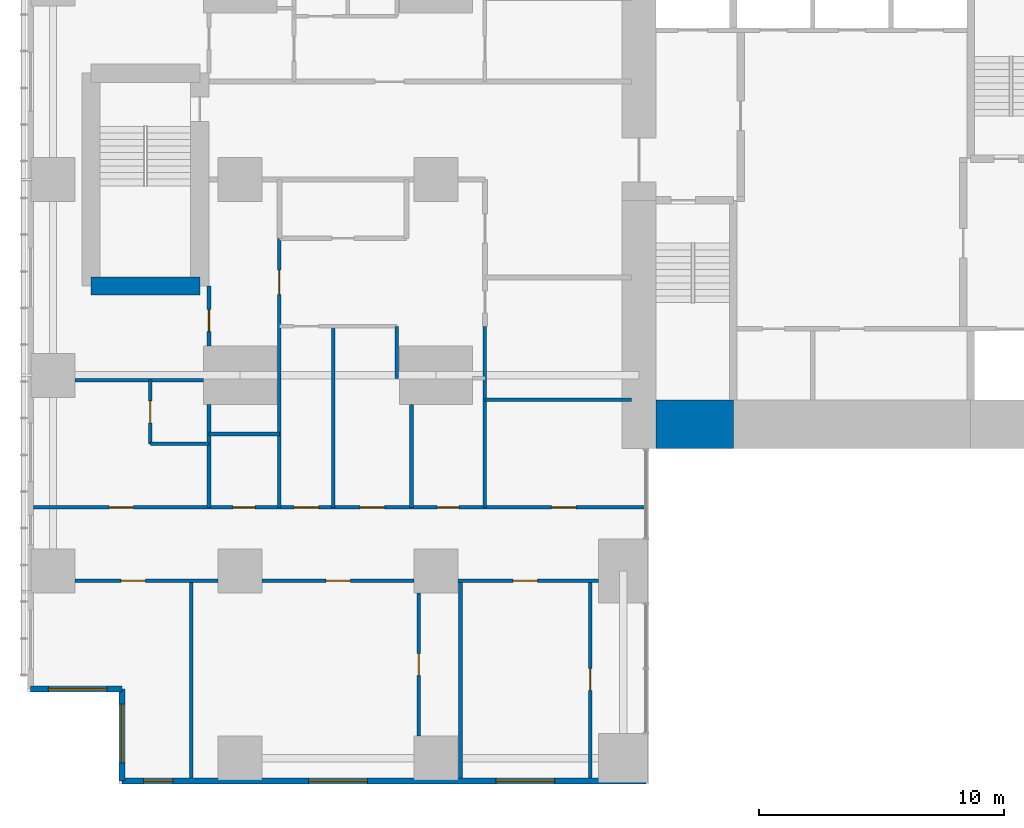
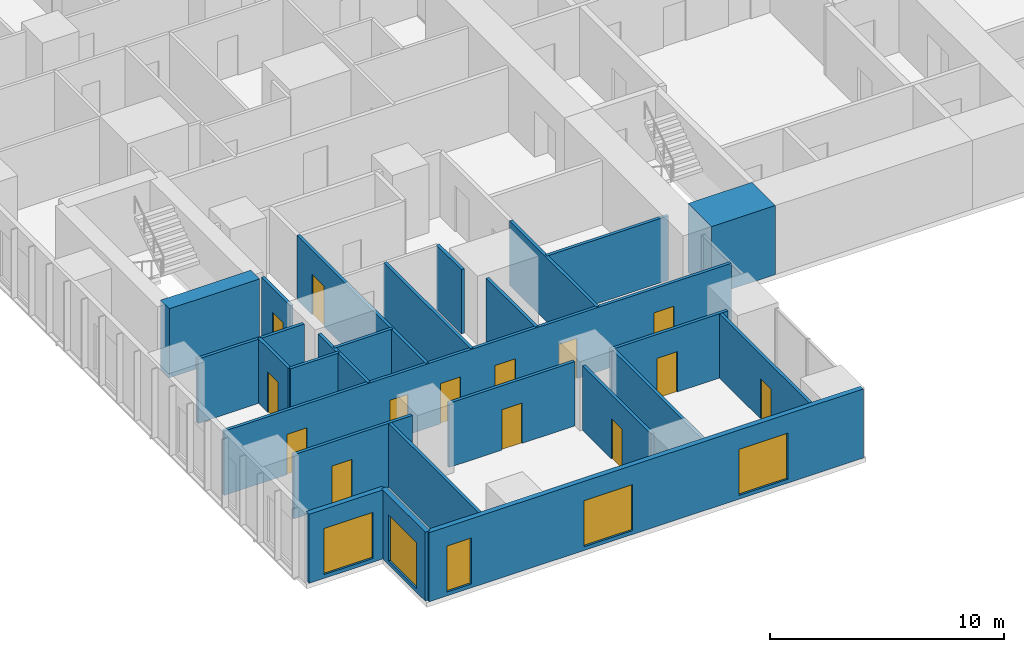
# One storey, part 12 of 20: 25 walls, 14 doors, 5 windows, 19 openings.
"""IFC4 building model written with IfcOpenShell, lengths in metres."""

from ifc_helpers import new_model, si_unit, direction, frame, frame_2d, origin, place, context, subcontext, project, spatial, rectangle, extrude, material, layer, layer_set, type_object, element, fill, save


model = new_model("IFC4")

# Units and contexts
model_context = context("Model", 3, precision=1e-05, world=origin(), true_north=direction((0.0, 1.0)))
body_context = subcontext(model_context, "Body", "Model", "MODEL_VIEW")
ifc_project = project(units=[si_unit("LENGTHUNIT", "METRE"), si_unit("AREAUNIT", "SQUARE_METRE"), si_unit("VOLUMEUNIT", "CUBIC_METRE"), si_unit("PLANEANGLEUNIT", "RADIAN"), si_unit("MASSUNIT", "GRAM", prefix="KILO")], contexts=[model_context])

# Site, building, storey
site_placement = place(None, origin())
site = spatial("IfcSite", under=ifc_project, at=site_placement, CompositionType="ELEMENT")
building_placement = place(site_placement, origin())
building = spatial("IfcBuilding", under=site, at=building_placement, Name="Cleftline Residences", CompositionType="ELEMENT")
storey_placement = place(building_placement, frame((0.0, 0.0, 214.60009765625)))
storey = spatial("IfcBuildingStorey", under=building, at=storey_placement, Name="L56", CompositionType="ELEMENT", Elevation=214.60009765625)

# Wall
ifc_material_1 = material(Name="Concrete B70", Category="concrete")
ifc_layer_1 = layer(ifc_material_1, 2.0)
ifc_layer_set_1 = layer_set([ifc_layer_1], Name="CORE WALL 2000")
wall_type_1 = type_object("IfcWallType", Name="CORE WALL 2000", PredefinedType="SHEAR", material=ifc_layer_set_1)
wall_1_placement = place(storey_placement, frame((25.0, 14.0, 0.0), z_axis=(0.0, 0.0, 1.0), x_axis=(1.0, 0.0, 0.0)))
element("IfcWall", 1, at=wall_1_placement, inside=storey, type_object=wall_type_1, Name="Core wall S1", PredefinedType="SHEAR", context=body_context, shape_type="SweptSolid", body=[
    extrude(rectangle(XDim=3.14990234375, YDim=2.0, at=frame_2d((1.574951171875, 0.0))), origin(), (0.0, 0.0, 1.0), 3.599853515625),
])

# Wall, opening, window
ifc_material_2 = material(Name="Rendered reinforced concrete blockwork", Category="masonry")
ifc_layer_2 = layer(ifc_material_2, 0.25)
ifc_layer_set_2 = layer_set([ifc_layer_2], Name="EXTERNAL WALL 250")
wall_type_2 = type_object("IfcWallType", Name="EXTERNAL WALL 250", PredefinedType="SOLIDWALL", material=ifc_layer_set_2)
wall_2_placement = place(storey_placement, frame((-0.574951171875, 3.175048828125, 0.0), z_axis=(0.0, 0.0, 1.0), x_axis=(1.0, 0.0, 0.0)))
wall_2 = element("IfcWall", 2, at=wall_2_placement, inside=storey, type_object=wall_type_2, Name="External wall", PredefinedType="SOLIDWALL", context=body_context, shape_type="SweptSolid", body=[
    extrude(rectangle(XDim=3.75, YDim=0.25, at=frame_2d((1.875, 0.0))), origin(), (0.0, 0.0, 1.0), 3.599853515625),
])
opening_1_placement = place(wall_2_placement, frame((0.737548828125, 0.0, 0.199951171875)))
opening_1 = element("IfcOpeningElement", 3, at=opening_1_placement, cuts=wall_2, Name="Opening W9", PredefinedType="OPENING", context=body_context, shape_type="SweptSolid", body=[
    extrude(rectangle(XDim=2.39990234375, YDim=2.39990234375, at=frame_2d((1.199951171875, 1.199951171875))), frame((0.0, 0.135009765625, 0.0), z_axis=(0.0, -1.0, 0.0), x_axis=(1.0, 0.0, 0.0)), (0.0, 0.0, 1.0), 0.27001953125),
])
ifc_material_3 = material(Name="Aluminium frame, clear double glazing", Category="aluminium")
window_type_1 = type_object("IfcWindowType", Name="WINDOW 2400X2400", PartitioningType="DOUBLE_PANEL_VERTICAL", PredefinedType="WINDOW", material=ifc_material_3)
window_1_placement = place(opening_1_placement, origin())
window_1 = element("IfcWindow", 4, at=window_1_placement, inside=storey, type_object=window_type_1, Name="Window", OverallHeight=2.39990234375, OverallWidth=2.39990234375, PartitioningType="SINGLE_PANEL", PredefinedType="WINDOW", context=body_context, shape_type="SweptSolid", body=[
    extrude(rectangle(XDim=2.39990234375, YDim=2.39990234375, at=frame_2d((1.199951171875, 1.199951171875))), frame((0.0, 0.030029296875, 0.0), z_axis=(0.0, -1.0, 0.0), x_axis=(1.0, 0.0, 0.0)), (0.0, 0.0, 1.0), 0.06005859375),
])
fill(opening_1, window_1)

wall_3_placement = place(storey_placement, frame((3.175048828125, 3.175048828125, 0.0), z_axis=(0.0, 0.0, 1.0), x_axis=(0.0, -1.0, 0.0)))
wall_3 = element("IfcWall", 5, at=wall_3_placement, inside=storey, type_object=wall_type_2, Name="External wall", PredefinedType="SOLIDWALL", context=body_context, shape_type="SweptSolid", body=[
    extrude(rectangle(XDim=3.75, YDim=0.25, at=frame_2d((1.875, 0.0))), origin(), (0.0, 0.0, 1.0), 3.599853515625),
])
opening_2_placement = place(wall_3_placement, frame((0.612548828125, 0.0, 0.199951171875)))
opening_2 = element("IfcOpeningElement", 6, at=opening_2_placement, cuts=wall_3, Name="Opening W9", PredefinedType="OPENING", context=body_context, shape_type="SweptSolid", body=[
    extrude(rectangle(XDim=2.39990234375, YDim=2.39990234375, at=frame_2d((1.199951171875, 1.199951171875))), frame((0.0, 0.135009765625, 0.0), z_axis=(0.0, -1.0, 0.0), x_axis=(1.0, 0.0, 0.0)), (0.0, 0.0, 1.0), 0.27001953125),
])
window_2_placement = place(opening_2_placement, origin())
window_2 = element("IfcWindow", 7, at=window_2_placement, inside=storey, type_object=window_type_1, Name="Window", OverallHeight=2.39990234375, OverallWidth=2.39990234375, PartitioningType="SINGLE_PANEL", PredefinedType="WINDOW", context=body_context, shape_type="SweptSolid", body=[
    extrude(rectangle(XDim=2.39990234375, YDim=2.39990234375, at=frame_2d((1.199951171875, 1.199951171875))), frame((0.0, 0.030029296875, 0.0), z_axis=(0.0, -1.0, 0.0), x_axis=(1.0, 0.0, 0.0)), (0.0, 0.0, 1.0), 0.06005859375),
])
fill(opening_2, window_2)

# Wall, openings, windows
wall_4_placement = place(storey_placement, frame((3.175048828125, -0.574951171875, 0.0), z_axis=(0.0, 0.0, 1.0), x_axis=(1.0, 0.0, 0.0)))
wall_4 = element("IfcWall", 8, at=wall_4_placement, inside=storey, type_object=wall_type_2, Name="External wall", PredefinedType="SOLIDWALL", context=body_context, shape_type="SweptSolid", body=[
    extrude(rectangle(XDim=21.39990234375, YDim=0.25, at=frame_2d((10.699951171875, 0.0))), origin(), (0.0, 0.0, 1.0), 3.599853515625),
])
opening_3_placement = place(wall_4_placement, frame((0.875, 0.0, 0.199951171875)))
opening_3 = element("IfcOpeningElement", 9, at=opening_3_placement, cuts=wall_4, Name="Opening W13", PredefinedType="OPENING", context=body_context, shape_type="SweptSolid", body=[
    extrude(rectangle(XDim=1.199951171875, YDim=2.39990234375, at=frame_2d((0.60009765625, 1.199951171875))), frame((0.0, 0.135009765625, 0.0), z_axis=(0.0, -1.0, 0.0), x_axis=(1.0, 0.0, 0.0)), (0.0, 0.0, 1.0), 0.27001953125),
])
opening_4_placement = place(wall_4_placement, frame((7.625, 0.0, 0.199951171875)))
opening_4 = element("IfcOpeningElement", 10, at=opening_4_placement, cuts=wall_4, Name="Opening W9", PredefinedType="OPENING", context=body_context, shape_type="SweptSolid", body=[
    extrude(rectangle(XDim=2.39990234375, YDim=2.39990234375, at=frame_2d((1.199951171875, 1.199951171875))), frame((0.0, 0.135009765625, 0.0), z_axis=(0.0, -1.0, 0.0), x_axis=(1.0, 0.0, 0.0)), (0.0, 0.0, 1.0), 0.27001953125),
])
opening_5_placement = place(wall_4_placement, frame((15.27490234375, 0.0, 0.199951171875)))
opening_5 = element("IfcOpeningElement", 11, at=opening_5_placement, cuts=wall_4, Name="Opening W9", PredefinedType="OPENING", context=body_context, shape_type="SweptSolid", body=[
    extrude(rectangle(XDim=2.39990234375, YDim=2.39990234375, at=frame_2d((1.199951171875, 1.199951171875))), frame((0.0, 0.135009765625, 0.0), z_axis=(0.0, -1.0, 0.0), x_axis=(1.0, 0.0, 0.0)), (0.0, 0.0, 1.0), 0.27001953125),
])
ifc_material_4 = material(Name="Aluminium frame, clear double glazing", Category="aluminium")
window_type_2 = type_object("IfcWindowType", Name="WINDOW 1200X2400", PartitioningType="DOUBLE_PANEL_VERTICAL", PredefinedType="WINDOW", material=ifc_material_4)
window_3_placement = place(opening_3_placement, origin())
window_3 = element("IfcWindow", 12, at=window_3_placement, inside=storey, type_object=window_type_2, Name="Window", OverallHeight=2.39990234375, OverallWidth=1.199951171875, PartitioningType="SINGLE_PANEL", PredefinedType="WINDOW", context=body_context, shape_type="SweptSolid", body=[
    extrude(rectangle(XDim=1.199951171875, YDim=2.39990234375, at=frame_2d((0.60009765625, 1.199951171875))), frame((0.0, 0.030029296875, 0.0), z_axis=(0.0, -1.0, 0.0), x_axis=(1.0, 0.0, 0.0)), (0.0, 0.0, 1.0), 0.06005859375),
])
fill(opening_3, window_3)
window_4_placement = place(opening_4_placement, origin())
window_4 = element("IfcWindow", 13, at=window_4_placement, inside=storey, type_object=window_type_1, Name="Window", OverallHeight=2.39990234375, OverallWidth=2.39990234375, PartitioningType="SINGLE_PANEL", PredefinedType="WINDOW", context=body_context, shape_type="SweptSolid", body=[
    extrude(rectangle(XDim=2.39990234375, YDim=2.39990234375, at=frame_2d((1.199951171875, 1.199951171875))), frame((0.0, 0.030029296875, 0.0), z_axis=(0.0, -1.0, 0.0), x_axis=(1.0, 0.0, 0.0)), (0.0, 0.0, 1.0), 0.06005859375),
])
fill(opening_4, window_4)
window_5_placement = place(opening_5_placement, origin())
window_5 = element("IfcWindow", 14, at=window_5_placement, inside=storey, type_object=window_type_1, Name="Window", OverallHeight=2.39990234375, OverallWidth=2.39990234375, PartitioningType="SINGLE_PANEL", PredefinedType="WINDOW", context=body_context, shape_type="SweptSolid", body=[
    extrude(rectangle(XDim=2.39990234375, YDim=2.39990234375, at=frame_2d((1.199951171875, 1.199951171875))), frame((0.0, 0.030029296875, 0.0), z_axis=(0.0, -1.0, 0.0), x_axis=(1.0, 0.0, 0.0)), (0.0, 0.0, 1.0), 0.06005859375),
])
fill(opening_5, window_5)

# Wall, opening, door
ifc_material_5 = material(Name="Gypsum board on steel studs", Category="steel")
ifc_layer_3 = layer(ifc_material_5, 0.14990234375)
ifc_layer_set_3 = layer_set([ifc_layer_3], Name="PARTITION 150")
wall_type_3 = type_object("IfcWallType", Name="PARTITION 150", PredefinedType="PARTITIONING", material=ifc_layer_set_3)
wall_5_placement = place(storey_placement, frame((1.25, 7.60009765625, 0.0), z_axis=(0.0, 0.0, 1.0), x_axis=(1.0, 0.0, 0.0)))
wall_5 = element("IfcWall", 15, at=wall_5_placement, inside=storey, type_object=wall_type_3, Name="Partition", PredefinedType="PARTITIONING", context=body_context, shape_type="SweptSolid", body=[
    extrude(rectangle(XDim=5.85009765625, YDim=0.14990234375, at=frame_2d((2.925048828125, 0.0))), origin(), (0.0, 0.0, 1.0), 3.349853515625),
])
opening_6_placement = place(wall_5_placement, frame((1.875, 0.0, 0.0)))
opening_6 = element("IfcOpeningElement", 16, at=opening_6_placement, cuts=wall_5, Name="Opening D2", PredefinedType="OPENING", context=body_context, shape_type="SweptSolid", body=[
    extrude(rectangle(XDim=1.0, YDim=2.10009765625, at=frame_2d((0.5, 1.050048828125))), frame((0.0, 0.0849609375, 0.0), z_axis=(0.0, -1.0, 0.0), x_axis=(1.0, 0.0, 0.0)), (0.0, 0.0, 1.0), 0.169921875),
])
ifc_material_6 = material(Name="Timber veneer on solid core", Category="wood")
door_type_1 = type_object("IfcDoorType", Name="DOOR 1000X2100", OperationType="SINGLE_SWING_LEFT", PredefinedType="DOOR", material=ifc_material_6)
door_1_placement = place(opening_6_placement, origin())
door_1 = element("IfcDoor", 17, at=door_1_placement, inside=storey, type_object=door_type_1, Name="Door to winter garden", OperationType="SINGLE_SWING_RIGHT", OverallHeight=2.10009765625, OverallWidth=1.0, PredefinedType="DOOR", context=body_context, shape_type="SweptSolid", body=[
    extrude(rectangle(XDim=1.0, YDim=2.10009765625, at=frame_2d((0.5, 1.050048828125))), frame((0.0, 0.02490234375, 0.0), z_axis=(0.0, -1.0, 0.0), x_axis=(1.0, 0.0, 0.0)), (0.0, 0.0, 1.0), 0.050048828125),
])
fill(opening_6, door_1)

wall_6_placement = place(storey_placement, frame((8.89990234375, 7.60009765625, 0.0), z_axis=(0.0, 0.0, 1.0), x_axis=(1.0, 0.0, 0.0)))
wall_6 = element("IfcWall", 18, at=wall_6_placement, inside=storey, type_object=wall_type_3, Name="Partition", PredefinedType="PARTITIONING", context=body_context, shape_type="SweptSolid", body=[
    extrude(rectangle(XDim=6.2001953125, YDim=0.14990234375, at=frame_2d((3.10009765625, 0.0))), origin(), (0.0, 0.0, 1.0), 3.349853515625),
])
opening_7_placement = place(wall_6_placement, frame((2.60009765625, 0.0, 0.0)))
opening_7 = element("IfcOpeningElement", 19, at=opening_7_placement, cuts=wall_6, Name="Opening D2", PredefinedType="OPENING", context=body_context, shape_type="SweptSolid", body=[
    extrude(rectangle(XDim=1.0, YDim=2.10009765625, at=frame_2d((0.5, 1.050048828125))), frame((0.0, 0.0849609375, 0.0), z_axis=(0.0, -1.0, 0.0), x_axis=(1.0, 0.0, 0.0)), (0.0, 0.0, 1.0), 0.169921875),
])
door_2_placement = place(opening_7_placement, origin())
door_2 = element("IfcDoor", 20, at=door_2_placement, inside=storey, type_object=door_type_1, Name="Door to great room", OperationType="SINGLE_SWING_LEFT", OverallHeight=2.10009765625, OverallWidth=1.0, PredefinedType="DOOR", context=body_context, shape_type="SweptSolid", body=[
    extrude(rectangle(XDim=1.0, YDim=2.10009765625, at=frame_2d((0.5, 1.050048828125))), frame((0.0, 0.02490234375, 0.0), z_axis=(0.0, -1.0, 0.0), x_axis=(1.0, 0.0, 0.0)), (0.0, 0.0, 1.0), 0.050048828125),
])
fill(opening_7, door_2)

wall_7_placement = place(storey_placement, frame((16.89990234375, 7.60009765625, 0.0), z_axis=(0.0, 0.0, 1.0), x_axis=(1.0, 0.0, 0.0)))
wall_7 = element("IfcWall", 21, at=wall_7_placement, inside=storey, type_object=wall_type_3, Name="Partition", PredefinedType="PARTITIONING", context=body_context, shape_type="SweptSolid", body=[
    extrude(rectangle(XDim=5.75, YDim=0.14990234375, at=frame_2d((2.875, 0.0))), origin(), (0.0, 0.0, 1.0), 3.349853515625),
])
opening_8_placement = place(wall_7_placement, frame((2.25, 0.0, 0.0)))
opening_8 = element("IfcOpeningElement", 22, at=opening_8_placement, cuts=wall_7, Name="Opening D2", PredefinedType="OPENING", context=body_context, shape_type="SweptSolid", body=[
    extrude(rectangle(XDim=1.0, YDim=2.10009765625, at=frame_2d((0.5, 1.050048828125))), frame((0.0, 0.0849609375, 0.0), z_axis=(0.0, -1.0, 0.0), x_axis=(1.0, 0.0, 0.0)), (0.0, 0.0, 1.0), 0.169921875),
])
door_3_placement = place(opening_8_placement, origin())
door_3 = element("IfcDoor", 23, at=door_3_placement, inside=storey, type_object=door_type_1, Name="Door to show kitchen", OperationType="SINGLE_SWING_RIGHT", OverallHeight=2.10009765625, OverallWidth=1.0, PredefinedType="DOOR", context=body_context, shape_type="SweptSolid", body=[
    extrude(rectangle(XDim=1.0, YDim=2.10009765625, at=frame_2d((0.5, 1.050048828125))), frame((0.0, 0.02490234375, 0.0), z_axis=(0.0, -1.0, 0.0), x_axis=(1.0, 0.0, 0.0)), (0.0, 0.0, 1.0), 0.050048828125),
])
fill(opening_8, door_3)

# Wall, openings, doors
wall_8_placement = place(storey_placement, frame((-0.449951171875, 10.60009765625, 0.0), z_axis=(0.0, 0.0, 1.0), x_axis=(1.0, 0.0, 0.0)))
wall_8 = element("IfcWall", 24, at=wall_8_placement, inside=storey, type_object=wall_type_3, Name="Partition", PredefinedType="PARTITIONING", context=body_context, shape_type="SweptSolid", body=[
    extrude(rectangle(XDim=25.010986328125, YDim=0.14990234375, at=frame_2d((12.50537109375, 0.0))), origin(), (0.0, 0.0, 1.0), 3.349853515625),
])
opening_9_placement = place(wall_8_placement, frame((10.64990234375, 0.0, 0.0)))
opening_9 = element("IfcOpeningElement", 25, at=opening_9_placement, cuts=wall_8, Name="Opening D2", PredefinedType="OPENING", context=body_context, shape_type="SweptSolid", body=[
    extrude(rectangle(XDim=1.0, YDim=2.10009765625, at=frame_2d((0.5, 1.050048828125))), frame((0.0, 0.0849609375, 0.0), z_axis=(0.0, -1.0, 0.0), x_axis=(1.0, 0.0, 0.0)), (0.0, 0.0, 1.0), 0.169921875),
])
opening_10_placement = place(wall_8_placement, frame((3.08740234375, 0.0, 0.0)))
opening_10 = element("IfcOpeningElement", 26, at=opening_10_placement, cuts=wall_8, Name="Opening D2", PredefinedType="OPENING", context=body_context, shape_type="SweptSolid", body=[
    extrude(rectangle(XDim=1.0, YDim=2.10009765625, at=frame_2d((0.5, 1.050048828125))), frame((0.0, 0.0849609375, 0.0), z_axis=(0.0, -1.0, 0.0), x_axis=(1.0, 0.0, 0.0)), (0.0, 0.0, 1.0), 0.169921875),
])
opening_11_placement = place(wall_8_placement, frame((8.16259765625, 0.0, 0.0)))
opening_11 = element("IfcOpeningElement", 27, at=opening_11_placement, cuts=wall_8, Name="Opening D1", PredefinedType="OPENING", context=body_context, shape_type="SweptSolid", body=[
    extrude(rectangle(XDim=0.89990234375, YDim=2.10009765625, at=frame_2d((0.449951171875, 1.050048828125))), frame((0.0, 0.0849609375, 0.0), z_axis=(0.0, -1.0, 0.0), x_axis=(1.0, 0.0, 0.0)), (0.0, 0.0, 1.0), 0.169921875),
])
opening_12_placement = place(wall_8_placement, frame((13.35009765625, 0.0, 0.0)))
opening_12 = element("IfcOpeningElement", 28, at=opening_12_placement, cuts=wall_8, Name="Opening D2", PredefinedType="OPENING", context=body_context, shape_type="SweptSolid", body=[
    extrude(rectangle(XDim=1.0, YDim=2.10009765625, at=frame_2d((0.5, 1.050048828125))), frame((0.0, 0.0849609375, 0.0), z_axis=(0.0, -1.0, 0.0), x_axis=(1.0, 0.0, 0.0)), (0.0, 0.0, 1.0), 0.169921875),
])
opening_13_placement = place(wall_8_placement, frame((16.5, 0.0, 0.0)))
opening_13 = element("IfcOpeningElement", 29, at=opening_13_placement, cuts=wall_8, Name="Opening D1", PredefinedType="OPENING", context=body_context, shape_type="SweptSolid", body=[
    extrude(rectangle(XDim=0.89990234375, YDim=2.10009765625, at=frame_2d((0.449951171875, 1.050048828125))), frame((0.0, 0.0849609375, 0.0), z_axis=(0.0, -1.0, 0.0), x_axis=(1.0, 0.0, 0.0)), (0.0, 0.0, 1.0), 0.169921875),
])
opening_14_placement = place(wall_8_placement, frame((21.175048828125, 0.0, 0.0)))
opening_14 = element("IfcOpeningElement", 30, at=opening_14_placement, cuts=wall_8, Name="Opening D2", PredefinedType="OPENING", context=body_context, shape_type="SweptSolid", body=[
    extrude(rectangle(XDim=1.0, YDim=2.10009765625, at=frame_2d((0.5, 1.050048828125))), frame((0.0, 0.0849609375, 0.0), z_axis=(0.0, -1.0, 0.0), x_axis=(1.0, 0.0, 0.0)), (0.0, 0.0, 1.0), 0.169921875),
])
door_4_placement = place(opening_9_placement, origin())
door_4 = element("IfcDoor", 31, at=door_4_placement, inside=storey, type_object=door_type_1, Name="Door to residence hall", OperationType="SINGLE_SWING_RIGHT", OverallHeight=2.10009765625, OverallWidth=1.0, PredefinedType="DOOR", context=body_context, shape_type="SweptSolid", body=[
    extrude(rectangle(XDim=1.0, YDim=2.10009765625, at=frame_2d((0.5, 1.050048828125))), frame((0.0, 0.02490234375, 0.0), z_axis=(0.0, -1.0, 0.0), x_axis=(1.0, 0.0, 0.0)), (0.0, 0.0, 1.0), 0.050048828125),
])
fill(opening_9, door_4)
door_5_placement = place(opening_10_placement, origin())
door_5 = element("IfcDoor", 32, at=door_5_placement, inside=storey, type_object=door_type_1, Name="Door to guest bedroom", OperationType="SINGLE_SWING_RIGHT", OverallHeight=2.10009765625, OverallWidth=1.0, PredefinedType="DOOR", context=body_context, shape_type="SweptSolid", body=[
    extrude(rectangle(XDim=1.0, YDim=2.10009765625, at=frame_2d((0.5, 1.050048828125))), frame((0.0, 0.02490234375, 0.0), z_axis=(0.0, -1.0, 0.0), x_axis=(1.0, 0.0, 0.0)), (0.0, 0.0, 1.0), 0.050048828125),
])
fill(opening_10, door_5)
door_6_placement = place(opening_12_placement, origin())
door_6 = element("IfcDoor", 33, at=door_6_placement, inside=storey, type_object=door_type_1, Name="Door to wet kitchen", OperationType="SINGLE_SWING_LEFT", OverallHeight=2.10009765625, OverallWidth=1.0, PredefinedType="DOOR", context=body_context, shape_type="SweptSolid", body=[
    extrude(rectangle(XDim=1.0, YDim=2.10009765625, at=frame_2d((0.5, 1.050048828125))), frame((0.0, 0.02490234375, 0.0), z_axis=(0.0, -1.0, 0.0), x_axis=(1.0, 0.0, 0.0)), (0.0, 0.0, 1.0), 0.050048828125),
])
fill(opening_12, door_6)
door_7_placement = place(opening_14_placement, origin())
door_7 = element("IfcDoor", 34, at=door_7_placement, inside=storey, type_object=door_type_1, Name="Door to breakfast room", OperationType="SINGLE_SWING_LEFT", OverallHeight=2.10009765625, OverallWidth=1.0, PredefinedType="DOOR", context=body_context, shape_type="SweptSolid", body=[
    extrude(rectangle(XDim=1.0, YDim=2.10009765625, at=frame_2d((0.5, 1.050048828125))), frame((0.0, 0.02490234375, 0.0), z_axis=(0.0, -1.0, 0.0), x_axis=(1.0, 0.0, 0.0)), (0.0, 0.0, 1.0), 0.050048828125),
])
fill(opening_14, door_7)
ifc_material_7 = material(Name="Timber veneer on solid core", Category="wood")
door_type_2 = type_object("IfcDoorType", Name="DOOR 900X2100", OperationType="SINGLE_SWING_LEFT", PredefinedType="DOOR", material=ifc_material_7)
door_8_placement = place(opening_11_placement, origin())
door_8 = element("IfcDoor", 35, at=door_8_placement, inside=storey, type_object=door_type_2, Name="Door to coat store", OperationType="SINGLE_SWING_RIGHT", OverallHeight=2.10009765625, OverallWidth=0.89990234375, PredefinedType="DOOR", context=body_context, shape_type="SweptSolid", body=[
    extrude(rectangle(XDim=0.89990234375, YDim=2.10009765625, at=frame_2d((0.449951171875, 1.050048828125))), frame((0.0, 0.02490234375, 0.0), z_axis=(0.0, -1.0, 0.0), x_axis=(1.0, 0.0, 0.0)), (0.0, 0.0, 1.0), 0.050048828125),
])
fill(opening_11, door_8)
door_9_placement = place(opening_13_placement, origin())
door_9 = element("IfcDoor", 36, at=door_9_placement, inside=storey, type_object=door_type_2, Name="Door to pantry", OperationType="SINGLE_SWING_LEFT", OverallHeight=2.10009765625, OverallWidth=0.89990234375, PredefinedType="DOOR", context=body_context, shape_type="SweptSolid", body=[
    extrude(rectangle(XDim=0.89990234375, YDim=2.10009765625, at=frame_2d((0.449951171875, 1.050048828125))), frame((0.0, 0.02490234375, 0.0), z_axis=(0.0, -1.0, 0.0), x_axis=(1.0, 0.0, 0.0)), (0.0, 0.0, 1.0), 0.050048828125),
])
fill(opening_13, door_9)

# Walls
wall_9_placement = place(storey_placement, frame((4.324951171875, 13.199951171875, 0.0), z_axis=(0.0, 0.0, 1.0), x_axis=(1.0, 0.0, 0.0)))
element("IfcWall", 37, at=wall_9_placement, inside=storey, type_object=wall_type_3, Name="Partition", PredefinedType="PARTITIONING", context=body_context, shape_type="SweptSolid", body=[
    extrude(rectangle(XDim=2.400146484375, YDim=0.14990234375, at=frame_2d((1.2001953125, 0.0))), origin(), (0.0, 0.0, 1.0), 3.349853515625),
])
wall_10_placement = place(storey_placement, frame((6.72509765625, 13.60009765625, 0.0), z_axis=(0.0, 0.0, 1.0), x_axis=(1.0, 0.0, 0.0)))
element("IfcWall", 38, at=wall_10_placement, inside=storey, type_object=wall_type_3, Name="Partition", PredefinedType="PARTITIONING", context=body_context, shape_type="SweptSolid", body=[
    extrude(rectangle(XDim=2.875, YDim=0.14990234375, at=frame_2d((1.4375, 0.0))), origin(), (0.0, 0.0, 1.0), 3.349853515625),
])
wall_11_placement = place(storey_placement, frame((18.0, 15.0, 0.0), z_axis=(0.0, 0.0, 1.0), x_axis=(1.0, 0.0, 0.0)))
element("IfcWall", 39, at=wall_11_placement, inside=storey, type_object=wall_type_3, Name="Partition", PredefinedType="PARTITIONING", context=body_context, shape_type="SweptSolid", body=[
    extrude(rectangle(XDim=6.0, YDim=0.14990234375, at=frame_2d((3.0, 0.0))), origin(), (0.0, 0.0, 1.0), 3.349853515625),
])
wall_12_placement = place(storey_placement, frame((1.25, 15.800048828125, 0.0), z_axis=(0.0, 0.0, 1.0), x_axis=(1.0, 0.0, 0.0)))
element("IfcWall", 40, at=wall_12_placement, inside=storey, type_object=wall_type_3, Name="Partition", PredefinedType="PARTITIONING", context=body_context, shape_type="SweptSolid", body=[
    extrude(rectangle(XDim=5.25, YDim=0.14990234375, at=frame_2d((2.625, 0.0))), origin(), (0.0, 0.0, 1.0), 3.349853515625),
])

# Wall, opening, door
wall_13_placement = place(storey_placement, frame((4.324951171875, 13.199951171875, 0.0), z_axis=(0.0, 0.0, 1.0), x_axis=(0.0, 1.0, 0.0)))
wall_13 = element("IfcWall", 41, at=wall_13_placement, inside=storey, type_object=wall_type_3, Name="Partition", PredefinedType="PARTITIONING", context=body_context, shape_type="SweptSolid", body=[
    extrude(rectangle(XDim=2.60009765625, YDim=0.14990234375, at=frame_2d((1.300048828125, 0.0))), origin(), (0.0, 0.0, 1.0), 3.349853515625),
])
opening_15_placement = place(wall_13_placement, frame((0.85009765625, 0.0, 0.0)))
opening_15 = element("IfcOpeningElement", 42, at=opening_15_placement, cuts=wall_13, Name="Opening D1", PredefinedType="OPENING", context=body_context, shape_type="SweptSolid", body=[
    extrude(rectangle(XDim=0.89990234375, YDim=2.10009765625, at=frame_2d((0.449951171875, 1.050048828125))), frame((0.0, 0.0849609375, 0.0), z_axis=(0.0, -1.0, 0.0), x_axis=(1.0, 0.0, 0.0)), (0.0, 0.0, 1.0), 0.169921875),
])
door_10_placement = place(opening_15_placement, origin())
door_10 = element("IfcDoor", 43, at=door_10_placement, inside=storey, type_object=door_type_2, Name="Door to guest bathroom", OperationType="SINGLE_SWING_LEFT", OverallHeight=2.10009765625, OverallWidth=0.89990234375, PredefinedType="DOOR", context=body_context, shape_type="SweptSolid", body=[
    extrude(rectangle(XDim=0.89990234375, YDim=2.10009765625, at=frame_2d((0.449951171875, 1.050048828125))), frame((0.0, 0.02490234375, 0.0), z_axis=(0.0, -1.0, 0.0), x_axis=(1.0, 0.0, 0.0)), (0.0, 0.0, 1.0), 0.050048828125),
])
fill(opening_15, door_10)

# Walls
wall_14_placement = place(storey_placement, frame((6.0, -0.449951171875, 0.0), z_axis=(0.0, 0.0, 1.0), x_axis=(0.0, 1.0, 0.0)))
element("IfcWall", 44, at=wall_14_placement, inside=storey, type_object=wall_type_3, Name="Partition", PredefinedType="PARTITIONING", context=body_context, shape_type="SweptSolid", body=[
    extrude(rectangle(XDim=8.050048828125, YDim=0.14990234375, at=frame_2d((4.02490234375, 0.0))), origin(), (0.0, 0.0, 1.0), 3.349853515625),
])
wall_15_placement = place(storey_placement, frame((6.72509765625, 10.60009765625, 0.0), z_axis=(0.0, 0.0, 1.0), x_axis=(0.0, 1.0, 0.0)))
element("IfcWall", 45, at=wall_15_placement, inside=storey, type_object=wall_type_3, Name="Partition", PredefinedType="PARTITIONING", context=body_context, shape_type="SweptSolid", body=[
    extrude(rectangle(XDim=4.199951171875, YDim=0.14990234375, at=frame_2d((2.10009765625, 0.0))), origin(), (0.0, 0.0, 1.0), 3.349853515625),
])

# Wall, opening, door
wall_16_placement = place(storey_placement, frame((6.72509765625, 17.199951171875, 0.0), z_axis=(0.0, 0.0, 1.0), x_axis=(0.0, 1.0, 0.0)))
wall_16 = element("IfcWall", 46, at=wall_16_placement, inside=storey, type_object=wall_type_3, Name="Partition", PredefinedType="PARTITIONING", context=body_context, shape_type="SweptSolid", body=[
    extrude(rectangle(XDim=2.449951171875, YDim=0.14990234375, at=frame_2d((1.22509765625, 0.0))), origin(), (0.0, 0.0, 1.0), 3.349853515625),
])
opening_16_placement = place(wall_16_placement, frame((0.58740234375, 0.0, 0.0)))
opening_16 = element("IfcOpeningElement", 47, at=opening_16_placement, cuts=wall_16, Name="Opening D1", PredefinedType="OPENING", context=body_context, shape_type="SweptSolid", body=[
    extrude(rectangle(XDim=0.89990234375, YDim=2.10009765625, at=frame_2d((0.449951171875, 1.050048828125))), frame((0.0, 0.0849609375, 0.0), z_axis=(0.0, -1.0, 0.0), x_axis=(1.0, 0.0, 0.0)), (0.0, 0.0, 1.0), 0.169921875),
])
door_11_placement = place(opening_16_placement, origin())
door_11 = element("IfcDoor", 48, at=door_11_placement, inside=storey, type_object=door_type_2, Name="Door to drying loggia", OperationType="SINGLE_SWING_RIGHT", OverallHeight=2.10009765625, OverallWidth=0.89990234375, PredefinedType="DOOR", context=body_context, shape_type="SweptSolid", body=[
    extrude(rectangle(XDim=0.89990234375, YDim=2.10009765625, at=frame_2d((0.449951171875, 1.050048828125))), frame((0.0, 0.02490234375, 0.0), z_axis=(0.0, -1.0, 0.0), x_axis=(1.0, 0.0, 0.0)), (0.0, 0.0, 1.0), 0.050048828125),
])
fill(opening_16, door_11)

wall_17_placement = place(storey_placement, frame((9.60009765625, 10.60009765625, 0.0), z_axis=(0.0, 0.0, 1.0), x_axis=(0.0, 1.0, 0.0)))
wall_17 = element("IfcWall", 49, at=wall_17_placement, inside=storey, type_object=wall_type_3, Name="Partition", PredefinedType="PARTITIONING", context=body_context, shape_type="SweptSolid", body=[
    extrude(rectangle(XDim=11.0, YDim=0.14990234375, at=frame_2d((5.5, 0.0))), origin(), (0.0, 0.0, 1.0), 3.349853515625),
])
opening_17_placement = place(wall_17_placement, frame((8.699951171875, 0.0, 0.0)))
opening_17 = element("IfcOpeningElement", 50, at=opening_17_placement, cuts=wall_17, Name="Opening D2F30", PredefinedType="OPENING", context=body_context, shape_type="SweptSolid", body=[
    extrude(rectangle(XDim=1.0, YDim=2.10009765625, at=frame_2d((0.5, 1.050048828125))), frame((0.0, 0.0849609375, 0.0), z_axis=(0.0, -1.0, 0.0), x_axis=(1.0, 0.0, 0.0)), (0.0, 0.0, 1.0), 0.169921875),
])
ifc_material_8 = material(Name="Timber veneer on solid core", Category="wood")
door_type_3 = type_object("IfcDoorType", Name="DOOR 1000X2100 EI 30", OperationType="SINGLE_SWING_LEFT", PredefinedType="DOOR", material=ifc_material_8)
door_12_placement = place(opening_17_placement, origin())
door_12 = element("IfcDoor", 51, at=door_12_placement, inside=storey, type_object=door_type_3, Name="Door to residence lobby", OperationType="SINGLE_SWING_LEFT", OverallHeight=2.10009765625, OverallWidth=1.0, PredefinedType="DOOR", context=body_context, shape_type="SweptSolid", body=[
    extrude(rectangle(XDim=1.0, YDim=2.10009765625, at=frame_2d((0.5, 1.050048828125))), frame((0.0, 0.02490234375, 0.0), z_axis=(0.0, -1.0, 0.0), x_axis=(1.0, 0.0, 0.0)), (0.0, 0.0, 1.0), 0.050048828125),
])
fill(opening_17, door_12)

# Walls
wall_18_placement = place(storey_placement, frame((11.800048828125, 10.60009765625, 0.0), z_axis=(0.0, 0.0, 1.0), x_axis=(0.0, 1.0, 0.0)))
element("IfcWall", 52, at=wall_18_placement, inside=storey, type_object=wall_type_3, Name="Partition", PredefinedType="PARTITIONING", context=body_context, shape_type="SweptSolid", body=[
    extrude(rectangle(XDim=7.39990234375, YDim=0.14990234375, at=frame_2d((3.699951171875, 0.0))), origin(), (0.0, 0.0, 1.0), 3.349853515625),
])
wall_19_placement = place(storey_placement, frame((14.39990234375, 15.875, 0.0), z_axis=(0.0, 0.0, 1.0), x_axis=(0.0, 1.0, 0.0)))
element("IfcWall", 53, at=wall_19_placement, inside=storey, type_object=wall_type_3, Name="Partition", PredefinedType="PARTITIONING", context=body_context, shape_type="SweptSolid", body=[
    extrude(rectangle(XDim=2.125, YDim=0.14990234375, at=frame_2d((1.0625, 0.0))), origin(), (0.0, 0.0, 1.0), 3.349853515625),
])
wall_20_placement = place(storey_placement, frame((15.0, 10.60009765625, 0.0), z_axis=(0.0, 0.0, 1.0), x_axis=(0.0, 1.0, 0.0)))
element("IfcWall", 54, at=wall_20_placement, inside=storey, type_object=wall_type_3, Name="Partition", PredefinedType="PARTITIONING", context=body_context, shape_type="SweptSolid", body=[
    extrude(rectangle(XDim=4.199951171875, YDim=0.14990234375, at=frame_2d((2.10009765625, 0.0))), origin(), (0.0, 0.0, 1.0), 3.349853515625),
])

# Wall, opening, door
wall_21_placement = place(storey_placement, frame((15.300048828125, 1.25, 0.0), z_axis=(0.0, 0.0, 1.0), x_axis=(0.0, 1.0, 0.0)))
wall_21 = element("IfcWall", 55, at=wall_21_placement, inside=storey, type_object=wall_type_3, Name="Partition", PredefinedType="PARTITIONING", context=body_context, shape_type="SweptSolid", body=[
    extrude(rectangle(XDim=5.85009765625, YDim=0.14990234375, at=frame_2d((2.925048828125, 0.0))), origin(), (0.0, 0.0, 1.0), 3.349853515625),
])
opening_18_placement = place(wall_21_placement, frame((2.47509765625, 0.0, 0.0)))
opening_18 = element("IfcOpeningElement", 56, at=opening_18_placement, cuts=wall_21, Name="Opening D1", PredefinedType="OPENING", context=body_context, shape_type="SweptSolid", body=[
    extrude(rectangle(XDim=0.89990234375, YDim=2.10009765625, at=frame_2d((0.449951171875, 1.050048828125))), frame((0.0, 0.0849609375, 0.0), z_axis=(0.0, -1.0, 0.0), x_axis=(1.0, 0.0, 0.0)), (0.0, 0.0, 1.0), 0.169921875),
])
door_13_placement = place(opening_18_placement, origin())
door_13 = element("IfcDoor", 57, at=door_13_placement, inside=storey, type_object=door_type_2, Name="Door to store room", OperationType="SINGLE_SWING_LEFT", OverallHeight=2.10009765625, OverallWidth=0.89990234375, PredefinedType="DOOR", context=body_context, shape_type="SweptSolid", body=[
    extrude(rectangle(XDim=0.89990234375, YDim=2.10009765625, at=frame_2d((0.449951171875, 1.050048828125))), frame((0.0, 0.02490234375, 0.0), z_axis=(0.0, -1.0, 0.0), x_axis=(1.0, 0.0, 0.0)), (0.0, 0.0, 1.0), 0.050048828125),
])
fill(opening_18, door_13)

# Walls
wall_22_placement = place(storey_placement, frame((17.0, -0.449951171875, 0.0), z_axis=(0.0, 0.0, 1.0), x_axis=(0.0, 1.0, 0.0)))
element("IfcWall", 58, at=wall_22_placement, inside=storey, type_object=wall_type_3, Name="Partition", PredefinedType="PARTITIONING", context=body_context, shape_type="SweptSolid", body=[
    extrude(rectangle(XDim=8.050048828125, YDim=0.14990234375, at=frame_2d((4.02490234375, 0.0))), origin(), (0.0, 0.0, 1.0), 3.349853515625),
])
wall_23_placement = place(storey_placement, frame((18.0, 10.60009765625, 0.0), z_axis=(0.0, 0.0, 1.0), x_axis=(0.0, 1.0, 0.0)))
element("IfcWall", 59, at=wall_23_placement, inside=storey, type_object=wall_type_3, Name="Partition", PredefinedType="PARTITIONING", context=body_context, shape_type="SweptSolid", body=[
    extrude(rectangle(XDim=7.39990234375, YDim=0.14990234375, at=frame_2d((3.699951171875, 0.0))), origin(), (0.0, 0.0, 1.0), 3.349853515625),
])

# Wall, opening, door
wall_24_placement = place(storey_placement, frame((22.300048828125, -0.449951171875, 0.0), z_axis=(0.0, 0.0, 1.0), x_axis=(0.0, 1.0, 0.0)))
wall_24 = element("IfcWall", 60, at=wall_24_placement, inside=storey, type_object=wall_type_3, Name="Partition", PredefinedType="PARTITIONING", context=body_context, shape_type="SweptSolid", body=[
    extrude(rectangle(XDim=8.050048828125, YDim=0.14990234375, at=frame_2d((4.02490234375, 0.0))), origin(), (0.0, 0.0, 1.0), 3.349853515625),
])
opening_19_placement = place(wall_24_placement, frame((3.574951171875, 0.0, 0.0)))
opening_19 = element("IfcOpeningElement", 61, at=opening_19_placement, cuts=wall_24, Name="Opening D1", PredefinedType="OPENING", context=body_context, shape_type="SweptSolid", body=[
    extrude(rectangle(XDim=0.89990234375, YDim=2.10009765625, at=frame_2d((0.449951171875, 1.050048828125))), frame((0.0, 0.0849609375, 0.0), z_axis=(0.0, -1.0, 0.0), x_axis=(1.0, 0.0, 0.0)), (0.0, 0.0, 1.0), 0.169921875),
])
door_14_placement = place(opening_19_placement, origin())
door_14 = element("IfcDoor", 62, at=door_14_placement, inside=storey, type_object=door_type_2, Name="Door to larder", OperationType="SINGLE_SWING_LEFT", OverallHeight=2.10009765625, OverallWidth=0.89990234375, PredefinedType="DOOR", context=body_context, shape_type="SweptSolid", body=[
    extrude(rectangle(XDim=0.89990234375, YDim=2.10009765625, at=frame_2d((0.449951171875, 1.050048828125))), frame((0.0, 0.02490234375, 0.0), z_axis=(0.0, -1.0, 0.0), x_axis=(1.0, 0.0, 0.0)), (0.0, 0.0, 1.0), 0.050048828125),
])
fill(opening_19, door_14)

# Wall
ifc_material_9 = material(Name="Concrete B70", Category="concrete")
ifc_layer_4 = layer(ifc_material_9, 0.75)
ifc_layer_set_4 = layer_set([ifc_layer_4], Name="SHEAR WALL 750")
wall_type_4 = type_object("IfcWallType", Name="SHEAR WALL 750", PredefinedType="SHEAR", material=ifc_layer_set_4)
wall_25_placement = place(storey_placement, frame((1.89990234375, 19.64990234375, 0.0), z_axis=(0.0, 0.0, 1.0), x_axis=(1.0, 0.0, 0.0)))
element("IfcWall", 63, at=wall_25_placement, inside=storey, type_object=wall_type_4, Name="Wing shear wall", PredefinedType="SHEAR", context=body_context, shape_type="SweptSolid", body=[
    extrude(rectangle(XDim=4.4501953125, YDim=0.75, at=frame_2d((2.22509765625, 0.0))), origin(), (0.0, 0.0, 1.0), 3.599853515625),
])

save(model, "model.ifc")
